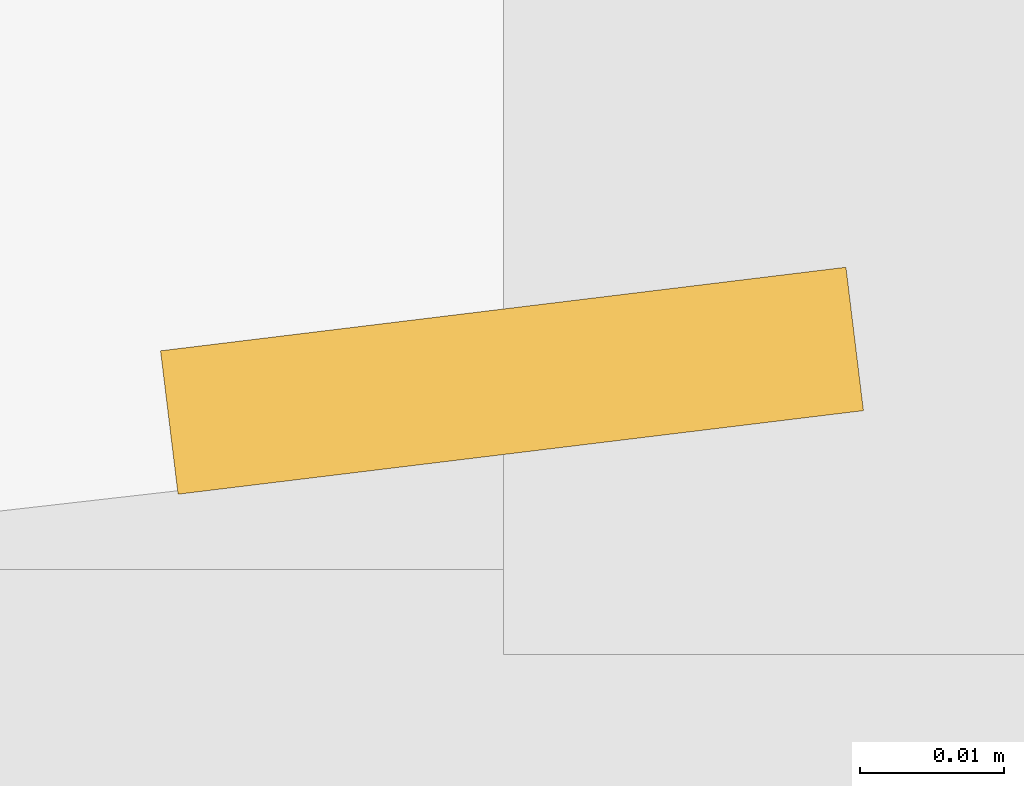
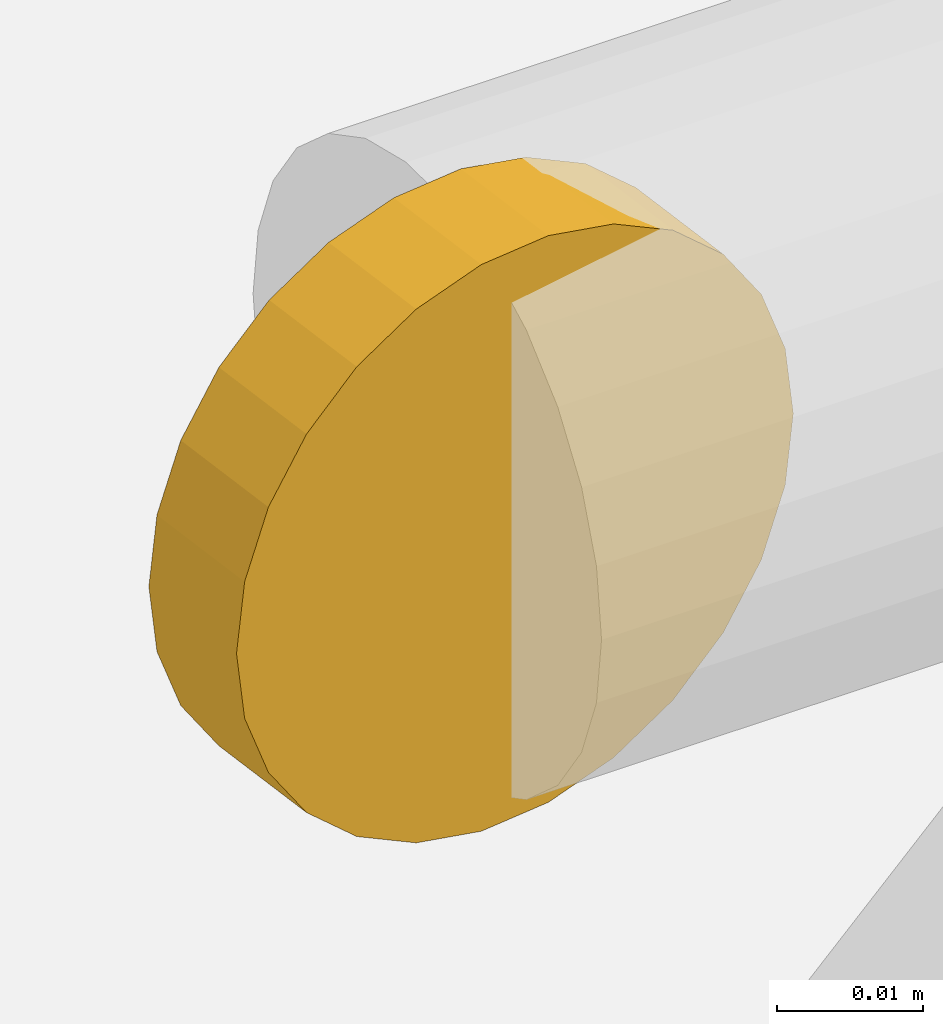
# One storey, part 29 of 32: 1 railing.
"""IFC4 building model written with IfcOpenShell, lengths in metres."""

import ifcopenshell
import ifcopenshell.guid

model = None  # the IFC model being written
_history = None  # IfcOwnerHistory: only IFC2X3 demands one
_inside = {}  # id of a spatial element -> (the spatial element, [elements in it])
_under = {}  # id of a project, library or spatial element -> (it, [spatial elements below it])
_declared = {}  # id of a project -> (the project, [libraries it declares])
_typed = {}  # id of a type object -> (the type object, [elements of that type])
_made_of = {}  # id of a material, layer set ... -> (it, [elements and type objects made of it])


def new_model(schema):
    """Start an empty IFC model of exactly this schema.

    Asked for "IFC4X3", IfcOpenShell would pick the latest addendum, in which some entities
    have other attributes; the version numbers below select the first issue.
    IFC2X3 requires an IfcOwnerHistory on every rooted entity: one is made here for all.
    """
    global model, _history
    if schema == "IFC4X3":
        model = ifcopenshell.file(schema_version=(4, 3, 0, 0))
    else:
        model = ifcopenshell.file(schema=schema)
    _inside.clear()
    _under.clear()
    _declared.clear()
    _typed.clear()
    _made_of.clear()
    _history = None
    if model.schema == "IFC2X3":
        org = make("IfcOrganization", Name="unknown")
        user = make(
            "IfcPersonAndOrganization",
            ThePerson=make("IfcPerson", FamilyName="unknown"),
            TheOrganization=org,
        )
        app = make(
            "IfcApplication",
            ApplicationDeveloper=org,
            Version="unknown",
            ApplicationFullName="unknown",
            ApplicationIdentifier="unknown",
        )
        _history = make(
            "IfcOwnerHistory",
            OwningUser=user,
            OwningApplication=app,
            ChangeAction="ADDED",
            CreationDate=0,
        )
    return model


def make(cls, **values):
    """One entity of the class cls with the attributes given. An attribute that is None is left unset."""
    return model.create_entity(
        cls, **{name: value for name, value in values.items() if value is not None}
    )


def rooted(cls, **values):
    """An entity with a GlobalId (a new one), such as an element, a storey or a relation."""
    return make(cls, GlobalId=ifcopenshell.guid.new(), OwnerHistory=_history, **values)


def si_unit(unit_type, name, prefix=None):
    """IfcSIUnit, for example si_unit("LENGTHUNIT", "METRE", prefix="MILLI")."""
    return make("IfcSIUnit", UnitType=unit_type, Prefix=prefix, Name=name)


def assignment(units):
    """IfcUnitAssignment: the units of a project."""
    return None if units is None else make("IfcUnitAssignment", Units=units)


def point(xyz):
    """IfcCartesianPoint."""
    return None if xyz is None else make("IfcCartesianPoint", Coordinates=xyz)


def direction(xyz):
    """IfcDirection."""
    return None if xyz is None else make("IfcDirection", DirectionRatios=xyz)


def frame(location, z_axis=None, x_axis=None):
    """IfcAxis2Placement3D, a coordinate frame: its origin and axes. An axis left out is left unset."""
    return make(
        "IfcAxis2Placement3D",
        Location=point(location),
        Axis=direction(z_axis),
        RefDirection=direction(x_axis),
    )


def frame_2d(location, x_axis=None):
    """IfcAxis2Placement2D, a coordinate frame in the plane: its origin and x axis."""
    return make(
        "IfcAxis2Placement2D", Location=point(location), RefDirection=direction(x_axis)
    )


def origin():
    """The frame at (0, 0, 0) with its axes left unset."""
    return frame((0.0, 0.0, 0.0))


def origin_2d():
    """The frame at (0, 0) in the plane with its x axis left unset."""
    return frame_2d((0.0, 0.0))


def place(relative_to, where):
    """IfcLocalPlacement: puts the frame where relative to a parent placement (None: the world)."""
    return make(
        "IfcLocalPlacement", PlacementRelTo=relative_to, RelativePlacement=where
    )


def context(
    kind, dimensions, precision=None, world=None, true_north=None, identifier=None
):
    """IfcGeometricRepresentationContext, for example the 3D "Model" context."""
    return make(
        "IfcGeometricRepresentationContext",
        ContextIdentifier=identifier,
        ContextType=kind,
        CoordinateSpaceDimension=dimensions,
        Precision=precision,
        WorldCoordinateSystem=world,
        TrueNorth=true_north,
    )


def subcontext(parent, identifier, kind, view, scale=None):
    """IfcGeometricRepresentationSubContext, for example "Body" below "Model"."""
    return make(
        "IfcGeometricRepresentationSubContext",
        ContextIdentifier=identifier,
        ContextType=kind,
        ParentContext=parent,
        TargetScale=scale,
        TargetView=view,
    )


def project(units=None, contexts=None):
    """IfcProject with its units and contexts."""
    return rooted(
        "IfcProject",
        Name="project",
        RepresentationContexts=contexts,
        UnitsInContext=assignment(units),
    )


def spatial(cls, under=None, at=None, **own):
    """A site, building, storey or space (cls), placed at a placement, below another one or the project."""
    s = rooted(cls, ObjectPlacement=at, **own)
    if under is not None:
        _under.setdefault(under.id(), (under, []))[1].append(s)
    return s


def profile(cls, at=None, kind="AREA", **sizes):
    """A parametric profile (cls). Its sizes go by their IFC names, for example OverallWidth=200.0."""
    return make(cls, ProfileType=kind, Position=at, **sizes)


def circle(**sizes):
    """IfcCircleProfileDef."""
    return profile("IfcCircleProfileDef", **sizes)


def extrude(swept, where, along, depth):
    """IfcExtrudedAreaSolid: the profile swept, set in the frame where, extruded along a direction by depth."""
    return make(
        "IfcExtrudedAreaSolid",
        SweptArea=swept,
        Position=where,
        ExtrudedDirection=direction(along),
        Depth=depth,
    )


def shape(context_of_items, identifier, shape_type, items):
    """IfcShapeRepresentation: the items that make up one representation, for example the "Body"."""
    return make(
        "IfcShapeRepresentation",
        ContextOfItems=context_of_items,
        RepresentationIdentifier=identifier,
        RepresentationType=shape_type,
        Items=items,
    )


def material(Name=None, Category=None):
    """IfcMaterial."""
    return make("IfcMaterial", Name=Name, Category=Category)


def made_of(thing, what):
    """Note that an element or type object is made of a material, layer set ...; save() writes the relation."""
    if what is not None:
        _made_of.setdefault(what.id(), (what, []))[1].append(thing)
    return thing


def type_object(cls, material=None, **own):
    """A type object (cls), such as IfcWallType, which elements share."""
    return made_of(rooted(cls, **own), material)


def element(
    cls,
    number,
    at=None,
    inside=None,
    cuts=None,
    type_object=None,
    material=None,
    context=None,
    identifier="Body",
    shape_type=None,
    held_by="IfcProductDefinitionShape",
    body=None,
    shapes=None,
    **own,
):
    """One element of the class cls, such as IfcWall. Its Tag is "e" and its number.

    at: its placement. inside: the storey or other place that contains it. cuts: it is an
    opening in that element (IfcRelVoidsElement). A single representation is given by context,
    identifier, shape_type and body (its items); several are given by shapes. held_by: the class
    of the entity that holds the representations. save() writes the other relations.
    """
    e = rooted(cls, Tag="e%d" % number, ObjectPlacement=at, **own)
    if body is not None:
        shapes = [shape(context, identifier, shape_type, body)]
    if shapes is not None:
        e.Representation = make(held_by, Representations=shapes)
    if inside is not None:
        _inside.setdefault(inside.id(), (inside, []))[1].append(e)
    if cuts is not None:
        rooted(
            "IfcRelVoidsElement", RelatingBuildingElement=cuts, RelatedOpeningElement=e
        )
    if type_object is not None:
        _typed.setdefault(type_object.id(), (type_object, []))[1].append(e)
    return made_of(e, material)


def aggregate(whole, parts):
    """IfcRelAggregates: a whole, such as a stair, and the parts it consists of."""
    return rooted("IfcRelAggregates", RelatingObject=whole, RelatedObjects=parts)


def save(model, path):
    """Write the relations noted so far, then the file.

    IfcRelAggregates (storeys below a building ...), IfcRelContainedInSpatialStructure (elements
    in a storey), IfcRelDefinesByType, IfcRelAssociatesMaterial and IfcRelDeclares: one each for
    every whole, place, type object, material and project.
    """
    for whole, parts in _under.values():
        aggregate(whole, parts)
    for where, things in _inside.values():
        rooted(
            "IfcRelContainedInSpatialStructure",
            RelatedElements=things,
            RelatingStructure=where,
        )
    for kind, things in _typed.values():
        rooted("IfcRelDefinesByType", RelatedObjects=things, RelatingType=kind)
    for what, things in _made_of.values():
        rooted("IfcRelAssociatesMaterial", RelatedObjects=things, RelatingMaterial=what)
    for by, libraries in _declared.values():
        rooted("IfcRelDeclares", RelatingContext=by, RelatedDefinitions=libraries)
    model.write(path)


model = new_model("IFC4")

# Units and contexts
model_context = context("Model", 3, precision=1e-05, world=origin(), true_north=direction((0.0, 1.0)))
body_context = subcontext(model_context, "Body", "Model", "MODEL_VIEW")
ifc_project = project(units=[si_unit("LENGTHUNIT", "METRE"), si_unit("AREAUNIT", "SQUARE_METRE"), si_unit("VOLUMEUNIT", "CUBIC_METRE"), si_unit("PLANEANGLEUNIT", "RADIAN"), si_unit("MASSUNIT", "GRAM", prefix="KILO")], contexts=[model_context])

# Site, building, storey
site_placement = place(None, origin())
site = spatial("IfcSite", under=ifc_project, at=site_placement, CompositionType="ELEMENT")
building_placement = place(site_placement, origin())
building = spatial("IfcBuilding", under=site, at=building_placement, Name="Spindle Arch Residences", CompositionType="ELEMENT")
storey_placement = place(building_placement, frame((0.0, 0.0, 76.699951171875)))
storey = spatial("IfcBuildingStorey", under=building, at=storey_placement, Name="L17", CompositionType="ELEMENT", Elevation=76.699951171875)

# Railing
ifc_material = material(Name="Bronze anodised aluminium handrail", Category="aluminium")
railing_type = type_object("IfcRailingType", Name="Terrace handrail 900", PredefinedType="HANDRAIL", material=ifc_material)
railing_placement = place(storey_placement, frame((-15.498779296875, -21.137939453125, 0.030029296875)))
element("IfcRailing", 1, at=railing_placement, inside=storey, type_object=railing_type, Name="Terrace handrail L16 2", PredefinedType="HANDRAIL", context=body_context, shape_type="SweptSolid", body=[
    extrude(circle(Radius=0.02392578125, at=origin_2d()), frame((0.0, 0.0, 0.8759765625), z_axis=(0.121054375311, -0.992645877551, 0.0), x_axis=(0.992645877551, 0.121054375311, 0.0)), (0.0, 0.0, 1.0), 0.010009765625),
])

save(model, "model.ifc")
